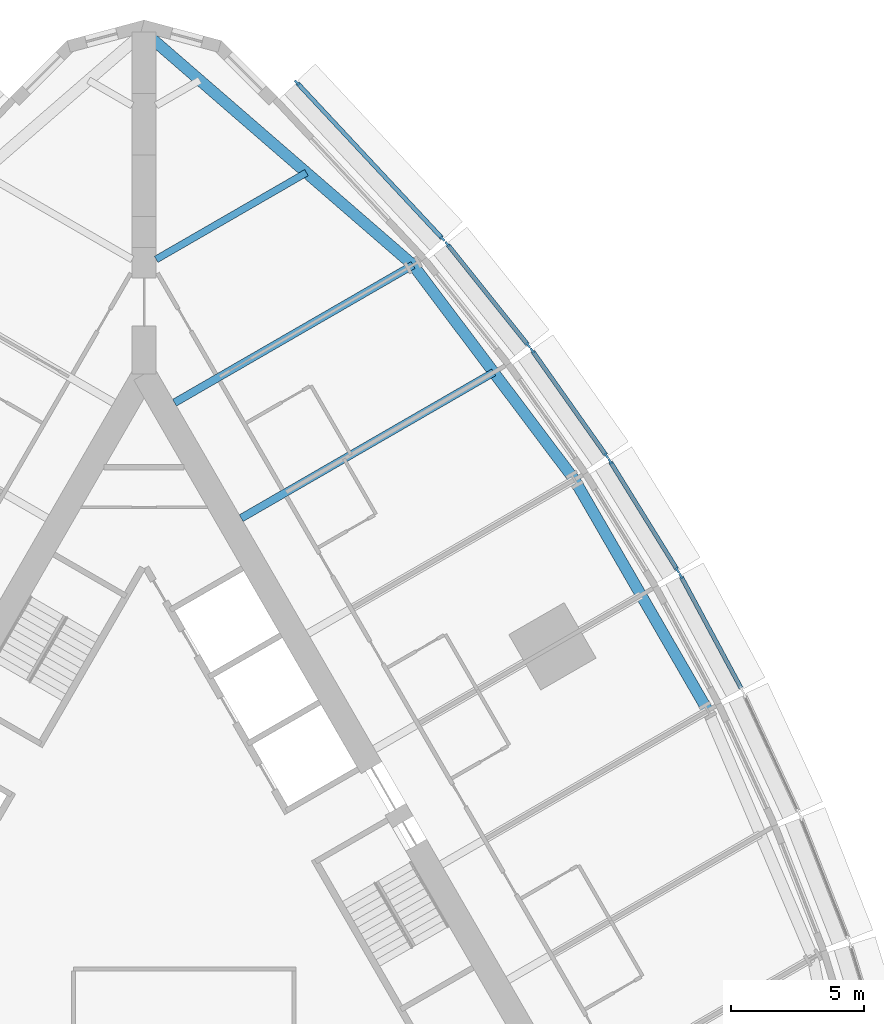
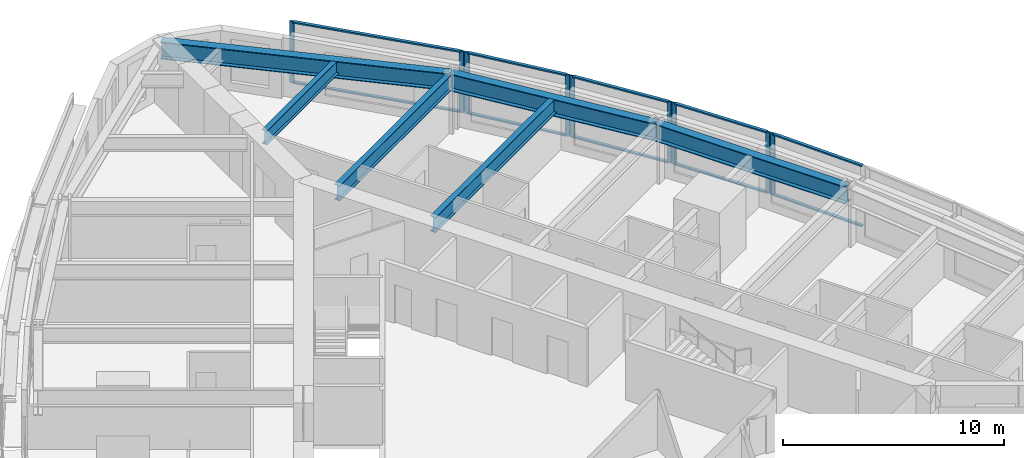
# One storey, part 5 of 14: 19 members, 6 beams, 5 elements without a shape of their own.
"""IFC4 building model written with IfcOpenShell, lengths in metres."""

from ifc_helpers import new_model, si_unit, direction, frame, origin, origin_2d, place, context, subcontext, project, spatial, rectangle, i_section, extrude, material, material_profile, profile_set, type_object, element, aggregate, save


model = new_model("IFC4")

# Units and contexts
model_context = context("Model", 3, precision=1e-05, world=origin(), true_north=direction((0.0, 1.0)))
body_context = subcontext(model_context, "Body", "Model", "MODEL_VIEW")
ifc_project = project(units=[si_unit("LENGTHUNIT", "METRE"), si_unit("AREAUNIT", "SQUARE_METRE"), si_unit("VOLUMEUNIT", "CUBIC_METRE"), si_unit("PLANEANGLEUNIT", "RADIAN"), si_unit("MASSUNIT", "GRAM", prefix="KILO")], contexts=[model_context])

# Site, building, storey
site_placement = place(None, origin())
site = spatial("IfcSite", under=ifc_project, at=site_placement, CompositionType="ELEMENT")
building_placement = place(site_placement, origin())
building = spatial("IfcBuilding", under=site, at=building_placement, Name="Trikona Tower", CompositionType="ELEMENT")
storey_placement = place(building_placement, frame((0.0, 0.0, 28.5)))
storey = spatial("IfcBuildingStorey", under=building, at=storey_placement, Name="L05", CompositionType="ELEMENT", Elevation=28.5)

# Curtain wall, member
ifc_material_1 = material(Name="Aluminium curtain wall system", Category="aluminium")
curtain_wall_type = type_object("IfcCurtainWallType", Name="Curtain wall DS1", PredefinedType="NOTDEFINED", material=ifc_material_1)
curtain_wall_1_placement = place(storey_placement, origin())
curtain_wall_1 = element("IfcCurtainWall", 1, at=curtain_wall_1_placement, inside=storey, type_object=curtain_wall_type, Name="Curtain wall DS1 L05", PredefinedType="NOTDEFINED")
ifc_material_2 = material(Name="Aluminium mullion, pale anodised", Category="aluminium")
ifc_material_profile_1 = material_profile(ifc_material_2, rectangle(XDim=0.080078125, YDim=0.219970703125, at=origin_2d()), Name="MUL-DS1")
ifc_profile_set_1 = profile_set([ifc_material_profile_1], Name="Aluminium mullion, pale anodised")
member_type_1 = type_object("IfcMemberType", Name="Mullion DS1 80x220", PredefinedType="MULLION", material=ifc_profile_set_1)
member_1_placement = place(storey_placement, frame((20.128662109375, 11.474365234375, 0.0), z_axis=(0.0, 0.0, 1.0), x_axis=(-0.880843080975, -0.473408350896, 0.0)))
member_1 = element("IfcMember", 2, at=member_1_placement, type_object=member_type_1, Name="CW-DS1 mullion 2", PredefinedType="MULLION", context=body_context, shape_type="SweptSolid", body=[
    extrude(rectangle(XDim=0.080078125, YDim=0.219970703125, at=origin_2d()), origin(), (0.0, 0.0, 1.0), 3.39990234375),
])

# Curtain wall, members
curtain_wall_2_placement = place(storey_placement, origin())
curtain_wall_2 = element("IfcCurtainWall", 3, at=curtain_wall_2_placement, inside=storey, type_object=curtain_wall_type, Name="Curtain wall DS1 L05", PredefinedType="NOTDEFINED")
member_2_placement = place(storey_placement, frame((20.00146484375, 11.69482421875, 0.0), z_axis=(0.0, 0.0, 1.0), x_axis=(-0.850410468941, -0.526119790842, 0.0)))
member_2 = element("IfcMember", 4, at=member_2_placement, type_object=member_type_1, Name="CW-DS1 mullion 1", PredefinedType="MULLION", context=body_context, shape_type="SweptSolid", body=[
    extrude(rectangle(XDim=0.080078125, YDim=0.219970703125, at=origin_2d()), origin(), (0.0, 0.0, 1.0), 3.39990234375),
])
member_3_placement = place(storey_placement, frame((17.474853515625, 15.77880859375, 0.0), z_axis=(0.0, 0.0, 1.0), x_axis=(-0.850410468941, -0.526119790842, 0.0)))
member_3 = element("IfcMember", 5, at=member_3_placement, type_object=member_type_1, Name="CW-DS1 mullion 2", PredefinedType="MULLION", context=body_context, shape_type="SweptSolid", body=[
    extrude(rectangle(XDim=0.080078125, YDim=0.219970703125, at=origin_2d()), origin(), (0.0, 0.0, 1.0), 3.39990234375),
])

curtain_wall_3_placement = place(storey_placement, origin())
curtain_wall_3 = element("IfcCurtainWall", 6, at=curtain_wall_3_placement, inside=storey, type_object=curtain_wall_type, Name="Curtain wall DS1 L05", PredefinedType="NOTDEFINED")
member_4_placement = place(storey_placement, frame((17.33447265625, 15.990966796875, 0.0), z_axis=(0.0, 0.0, 1.0), x_axis=(-0.816985393055, -0.576658362928, 0.0)))
member_4 = element("IfcMember", 7, at=member_4_placement, type_object=member_type_1, Name="CW-DS1 mullion 1", PredefinedType="MULLION", context=body_context, shape_type="SweptSolid", body=[
    extrude(rectangle(XDim=0.080078125, YDim=0.219970703125, at=origin_2d()), origin(), (0.0, 0.0, 1.0), 3.39990234375),
])
member_5_placement = place(storey_placement, frame((14.554443359375, 19.929443359375, 0.0), z_axis=(0.0, 0.0, 1.0), x_axis=(-0.816985393055, -0.576658362928, 0.0)))
member_5 = element("IfcMember", 8, at=member_5_placement, type_object=member_type_1, Name="CW-DS1 mullion 2", PredefinedType="MULLION", context=body_context, shape_type="SweptSolid", body=[
    extrude(rectangle(XDim=0.080078125, YDim=0.219970703125, at=origin_2d()), origin(), (0.0, 0.0, 1.0), 3.39990234375),
])

curtain_wall_4_placement = place(storey_placement, origin())
curtain_wall_4 = element("IfcCurtainWall", 9, at=curtain_wall_4_placement, inside=storey, type_object=curtain_wall_type, Name="Curtain wall DS1 L05", PredefinedType="NOTDEFINED")
member_6_placement = place(storey_placement, frame((14.40185546875, 20.13232421875, 0.0), z_axis=(0.0, 0.0, 1.0), x_axis=(-0.780937959679, -0.624608599951, 0.0)))
member_6 = element("IfcMember", 10, at=member_6_placement, type_object=member_type_1, Name="CW-DS1 mullion 1", PredefinedType="MULLION", context=body_context, shape_type="SweptSolid", body=[
    extrude(rectangle(XDim=0.080078125, YDim=0.219970703125, at=origin_2d()), origin(), (0.0, 0.0, 1.0), 3.39990234375),
])
member_7_placement = place(storey_placement, frame((11.36767578125, 23.926025390625, 0.0), z_axis=(0.0, 0.0, 1.0), x_axis=(-0.780937959679, -0.624608599951, 0.0)))
member_7 = element("IfcMember", 11, at=member_7_placement, type_object=member_type_1, Name="CW-DS1 mullion 2", PredefinedType="MULLION", context=body_context, shape_type="SweptSolid", body=[
    extrude(rectangle(XDim=0.080078125, YDim=0.219970703125, at=origin_2d()), origin(), (0.0, 0.0, 1.0), 3.39990234375),
])

curtain_wall_5_placement = place(storey_placement, origin())
curtain_wall_5 = element("IfcCurtainWall", 12, at=curtain_wall_5_placement, inside=storey, type_object=curtain_wall_type, Name="Curtain wall DS1 L05", PredefinedType="NOTDEFINED")
member_8_placement = place(storey_placement, frame((11.192138671875, 24.129150390625, 0.0), z_axis=(0.0, 0.0, 1.0), x_axis=(-0.731076639405, -0.682295351967, 0.0)))
member_8 = element("IfcMember", 13, at=member_8_placement, type_object=member_type_1, Name="CW-DS1 mullion 1", PredefinedType="MULLION", context=body_context, shape_type="SweptSolid", body=[
    extrude(rectangle(XDim=0.080078125, YDim=0.219970703125, at=origin_2d()), origin(), (0.0, 0.0, 1.0), 3.39990234375),
])
member_9_placement = place(storey_placement, frame((5.72607421875, 29.98583984375, 0.0), z_axis=(0.0, 0.0, 1.0), x_axis=(-0.731076639405, -0.682295351967, 0.0)))
member_9 = element("IfcMember", 14, at=member_9_placement, type_object=member_type_1, Name="CW-DS1 mullion 2", PredefinedType="MULLION", context=body_context, shape_type="SweptSolid", body=[
    extrude(rectangle(XDim=0.080078125, YDim=0.219970703125, at=origin_2d()), origin(), (0.0, 0.0, 1.0), 3.39990234375),
])

# Beams
ifc_material_3 = material(Name="Steel ASTM A992 Grade 50", Category="steel")
ifc_material_profile_2 = material_profile(ifc_material_3, i_section(OverallWidth=0.2666015625, OverallDepth=0.76953125, WebThickness=0.015625, FlangeThickness=0.025390625, at=origin_2d()), Name="W30X132")
ifc_profile_set_2 = profile_set([ifc_material_profile_2], Name="Steel ASTM A992 Grade 50")
beam_type_1 = type_object("IfcBeamType", Name="Steel beam W30x132 (wedge)", PredefinedType="BEAM", material=ifc_profile_set_2)
beam_1_placement = place(storey_placement, frame((0.449951171875, 23.353759765625, 2.85009765625), z_axis=(0.866022504693, 0.50000502134, 0.0), x_axis=(-0.50000502134, 0.866022504693, 0.0)))
element("IfcBeam", 15, at=beam_1_placement, inside=storey, type_object=beam_type_1, Name="Floor beam L06 F2 u20", PredefinedType="BEAM", context=body_context, shape_type="SweptSolid", body=[
    extrude(i_section(OverallWidth=0.2666015625, OverallDepth=0.76953125, WebThickness=0.015625, FlangeThickness=0.025390625, at=origin_2d()), origin(), (0.0, 0.0, 1.0), 6.5068359375),
])
ifc_material_4 = material(Name="Steel ASTM A992 Grade 50", Category="steel")
ifc_material_profile_3 = material_profile(ifc_material_4, i_section(OverallWidth=0.2919921875, OverallDepth=0.845703125, WebThickness=0.015380859375, FlangeThickness=0.0244140625, at=origin_2d()), Name="W33X141")
ifc_profile_set_3 = profile_set([ifc_material_profile_3], Name="Steel ASTM A992 Grade 50")
beam_type_2 = type_object("IfcBeamType", Name="Steel beam W33x141 (radial typ)", PredefinedType="BEAM", material=ifc_profile_set_3)
beam_2_placement = place(storey_placement, frame((3.6396484375, 13.6484375, 2.81201171875), z_axis=(0.866025348605, 0.500000095573, 0.0), x_axis=(-0.500000095573, 0.866025348605, 0.0)))
element("IfcBeam", 16, at=beam_2_placement, inside=storey, type_object=beam_type_2, Name="Floor beam L06 F2 u10", PredefinedType="BEAM", context=body_context, shape_type="SweptSolid", body=[
    extrude(i_section(OverallWidth=0.2919921875, OverallDepth=0.845703125, WebThickness=0.015380859375, FlangeThickness=0.0244140625, at=origin_2d()), origin(), (0.0, 0.0, 1.0), 10.935546875),
])
beam_3_placement = place(storey_placement, frame((1.1396484375, 17.978515625, 2.81201171875), z_axis=(0.866030471684, 0.499991222037, 0.0), x_axis=(-0.499991222037, 0.866030471684, 0.0)))
element("IfcBeam", 17, at=beam_3_placement, inside=storey, type_object=beam_type_2, Name="Floor beam L06 F2 u15", PredefinedType="BEAM", context=body_context, shape_type="SweptSolid", body=[
    extrude(i_section(OverallWidth=0.2919921875, OverallDepth=0.845703125, WebThickness=0.015380859375, FlangeThickness=0.0244140625, at=origin_2d()), origin(), (0.0, 0.0, 1.0), 10.326904296875),
])
ifc_material_5 = material(Name="Steel ASTM A992 Grade 50", Category="steel")
ifc_material_profile_4 = material_profile(ifc_material_5, i_section(OverallWidth=0.424072265625, OverallDepth=0.947509765625, WebThickness=0.02392578125, FlangeThickness=0.042724609375, at=origin_2d()), Name="W36X302")
ifc_profile_set_4 = profile_set([ifc_material_profile_4], Name="Steel ASTM A992 Grade 50")
beam_type_3 = type_object("IfcBeamType", Name="Steel beam W36x302 (spandrel)", PredefinedType="SPANDREL", material=ifc_profile_set_4)
beam_4_placement = place(storey_placement, frame((21.13720703125, 6.43017578125, 2.76123046875), z_axis=(-0.500004234368, 0.866022959057, 0.0), x_axis=(-0.866022959057, -0.500004234368, 0.0)))
element("IfcBeam", 18, at=beam_4_placement, inside=storey, type_object=beam_type_3, Name="Spandrel beam L06 F2-3", PredefinedType="SPANDREL", context=body_context, shape_type="SweptSolid", body=[
    extrude(i_section(OverallWidth=0.424072265625, OverallDepth=0.947509765625, WebThickness=0.02392578125, FlangeThickness=0.042724609375, at=origin_2d()), origin(), (0.0, 0.0, 1.0), 10.0),
])
beam_5_placement = place(storey_placement, frame((16.13720703125, 15.09033203125, 2.76123046875), z_axis=(-0.600988344191, 0.799257787042, 0.0), x_axis=(-0.799257787042, -0.600988344191, 0.0)))
element("IfcBeam", 19, at=beam_5_placement, inside=storey, type_object=beam_type_3, Name="Spandrel beam L06 F2-4", PredefinedType="SPANDREL", context=body_context, shape_type="SweptSolid", body=[
    extrude(i_section(OverallWidth=0.424072265625, OverallDepth=0.947509765625, WebThickness=0.02392578125, FlangeThickness=0.042724609375, at=origin_2d()), origin(), (0.0, 0.0, 1.0), 10.07373046875),
])
beam_6_placement = place(storey_placement, frame((10.0830078125, 23.141845703125, 2.76123046875), z_axis=(-0.755646822726, 0.654979296851, 0.0), x_axis=(-0.654979296851, -0.755646822726, 0.0)))
element("IfcBeam", 20, at=beam_6_placement, inside=storey, type_object=beam_type_3, Name="Spandrel beam L06 F2-5", PredefinedType="SPANDREL", context=body_context, shape_type="SweptSolid", body=[
    extrude(i_section(OverallWidth=0.424072265625, OverallDepth=0.947509765625, WebThickness=0.02392578125, FlangeThickness=0.042724609375, at=origin_2d()), origin(), (0.0, 0.0, 1.0), 13.343505859375),
])

# Member
ifc_material_6 = material(Name="Aluminium transom, pale anodised", Category="aluminium")
ifc_material_profile_5 = material_profile(ifc_material_6, rectangle(XDim=0.159912109375, YDim=0.080078125, at=origin_2d()), Name="TRN-DS1")
ifc_profile_set_5 = profile_set([ifc_material_profile_5], Name="Aluminium transom, pale anodised")
member_type_2 = type_object("IfcMemberType", Name="Transom DS1 80x160", PredefinedType="USERDEFINED", material=ifc_profile_set_5)
member_10_placement = place(storey_placement, frame((22.38330078125, 7.279541015625, 0.0400390625), z_axis=(-0.473427569755, 0.880832751546, 0.0), x_axis=(-0.880832751546, -0.473427569755, 0.0)))
member_10 = element("IfcMember", 21, at=member_10_placement, type_object=member_type_2, Name="CW-DS1 transom 1.1", ObjectType="TRANSOM", PredefinedType="USERDEFINED", context=body_context, shape_type="SweptSolid", body=[
    extrude(rectangle(XDim=0.159912109375, YDim=0.080078125, at=origin_2d()), origin(), (0.0, 0.0, 1.0), 4.72216796875),
])

member_11_placement = place(storey_placement, frame((22.38330078125, 7.279541015625, 3.360107421875), z_axis=(-0.473427569755, 0.880832751546, 0.0), x_axis=(-0.880832751546, -0.473427569755, 0.0)))
member_11 = element("IfcMember", 22, at=member_11_placement, type_object=member_type_2, Name="CW-DS1 transom 1.2", ObjectType="TRANSOM", PredefinedType="USERDEFINED", context=body_context, shape_type="SweptSolid", body=[
    extrude(rectangle(XDim=0.159912109375, YDim=0.080078125, at=origin_2d()), origin(), (0.0, 0.0, 1.0), 4.72216796875),
])

aggregate(curtain_wall_1, [member_1, member_10, member_11])

member_12_placement = place(storey_placement, frame((19.980224609375, 11.728759765625, 0.0400390625), z_axis=(-0.526080502257, 0.850434774186, 0.0), x_axis=(-0.850434774186, -0.526080502257, 0.0)))
member_12 = element("IfcMember", 23, at=member_12_placement, type_object=member_type_2, Name="CW-DS1 transom 1.1", ObjectType="TRANSOM", PredefinedType="USERDEFINED", context=body_context, shape_type="SweptSolid", body=[
    extrude(rectangle(XDim=0.159912109375, YDim=0.080078125, at=origin_2d()), origin(), (0.0, 0.0, 1.0), 4.722412109375),
])

member_13_placement = place(storey_placement, frame((19.980224609375, 11.728759765625, 3.360107421875), z_axis=(-0.526080502257, 0.850434774186, 0.0), x_axis=(-0.850434774186, -0.526080502257, 0.0)))
member_13 = element("IfcMember", 24, at=member_13_placement, type_object=member_type_2, Name="CW-DS1 transom 1.2", ObjectType="TRANSOM", PredefinedType="USERDEFINED", context=body_context, shape_type="SweptSolid", body=[
    extrude(rectangle(XDim=0.159912109375, YDim=0.080078125, at=origin_2d()), origin(), (0.0, 0.0, 1.0), 4.722412109375),
])

aggregate(curtain_wall_2, [member_2, member_3, member_12, member_13])

member_14_placement = place(storey_placement, frame((17.311279296875, 16.023681640625, 0.0400390625), z_axis=(-0.57664478015, 0.816994980111, 0.0), x_axis=(-0.816994980111, -0.57664478015, 0.0)))
member_14 = element("IfcMember", 25, at=member_14_placement, type_object=member_type_2, Name="CW-DS1 transom 1.1", ObjectType="TRANSOM", PredefinedType="USERDEFINED", context=body_context, shape_type="SweptSolid", body=[
    extrude(rectangle(XDim=0.159912109375, YDim=0.080078125, at=origin_2d()), origin(), (0.0, 0.0, 1.0), 4.740478515625),
])

member_15_placement = place(storey_placement, frame((17.311279296875, 16.023681640625, 3.360107421875), z_axis=(-0.57664478015, 0.816994980111, 0.0), x_axis=(-0.816994980111, -0.57664478015, 0.0)))
member_15 = element("IfcMember", 26, at=member_15_placement, type_object=member_type_2, Name="CW-DS1 transom 1.2", ObjectType="TRANSOM", PredefinedType="USERDEFINED", context=body_context, shape_type="SweptSolid", body=[
    extrude(rectangle(XDim=0.159912109375, YDim=0.080078125, at=origin_2d()), origin(), (0.0, 0.0, 1.0), 4.740478515625),
])

aggregate(curtain_wall_3, [member_4, member_5, member_14, member_15])

member_16_placement = place(storey_placement, frame((14.376953125, 20.16357421875, 0.0400390625), z_axis=(-0.624589103832, 0.780953552636, 0.0), x_axis=(-0.780953552636, -0.624589103832, 0.0)))
member_16 = element("IfcMember", 27, at=member_16_placement, type_object=member_type_2, Name="CW-DS1 transom 1.1", ObjectType="TRANSOM", PredefinedType="USERDEFINED", context=body_context, shape_type="SweptSolid", body=[
    extrude(rectangle(XDim=0.159912109375, YDim=0.080078125, at=origin_2d()), origin(), (0.0, 0.0, 1.0), 4.77783203125),
])

member_17_placement = place(storey_placement, frame((14.376953125, 20.16357421875, 3.360107421875), z_axis=(-0.624589103832, 0.780953552636, 0.0), x_axis=(-0.780953552636, -0.624589103832, 0.0)))
member_17 = element("IfcMember", 28, at=member_17_placement, type_object=member_type_2, Name="CW-DS1 transom 1.2", ObjectType="TRANSOM", PredefinedType="USERDEFINED", context=body_context, shape_type="SweptSolid", body=[
    extrude(rectangle(XDim=0.159912109375, YDim=0.080078125, at=origin_2d()), origin(), (0.0, 0.0, 1.0), 4.77783203125),
])

aggregate(curtain_wall_4, [member_6, member_7, member_16, member_17])

member_18_placement = place(storey_placement, frame((11.164794921875, 24.158203125, 0.0400390625), z_axis=(-0.682290830921, 0.731080858758, 0.0), x_axis=(-0.731080858758, -0.682290830921, 0.0)))
member_18 = element("IfcMember", 29, at=member_18_placement, type_object=member_type_2, Name="CW-DS1 transom 1.1", ObjectType="TRANSOM", PredefinedType="USERDEFINED", context=body_context, shape_type="SweptSolid", body=[
    extrude(rectangle(XDim=0.159912109375, YDim=0.080078125, at=origin_2d()), origin(), (0.0, 0.0, 1.0), 7.93115234375),
])

member_19_placement = place(storey_placement, frame((11.164794921875, 24.158203125, 3.360107421875), z_axis=(-0.682290830921, 0.731080858758, 0.0), x_axis=(-0.731080858758, -0.682290830921, 0.0)))
member_19 = element("IfcMember", 30, at=member_19_placement, type_object=member_type_2, Name="CW-DS1 transom 1.2", ObjectType="TRANSOM", PredefinedType="USERDEFINED", context=body_context, shape_type="SweptSolid", body=[
    extrude(rectangle(XDim=0.159912109375, YDim=0.080078125, at=origin_2d()), origin(), (0.0, 0.0, 1.0), 7.93115234375),
])

aggregate(curtain_wall_5, [member_8, member_9, member_18, member_19])

save(model, "model.ifc")
